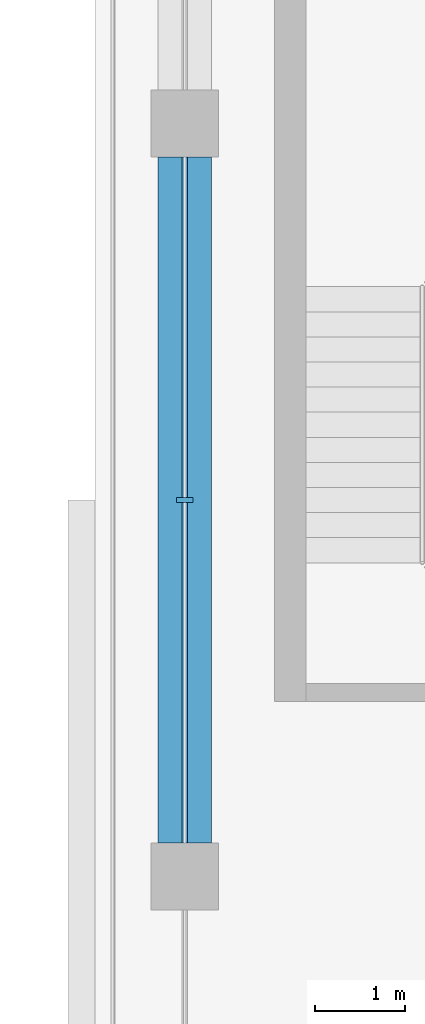
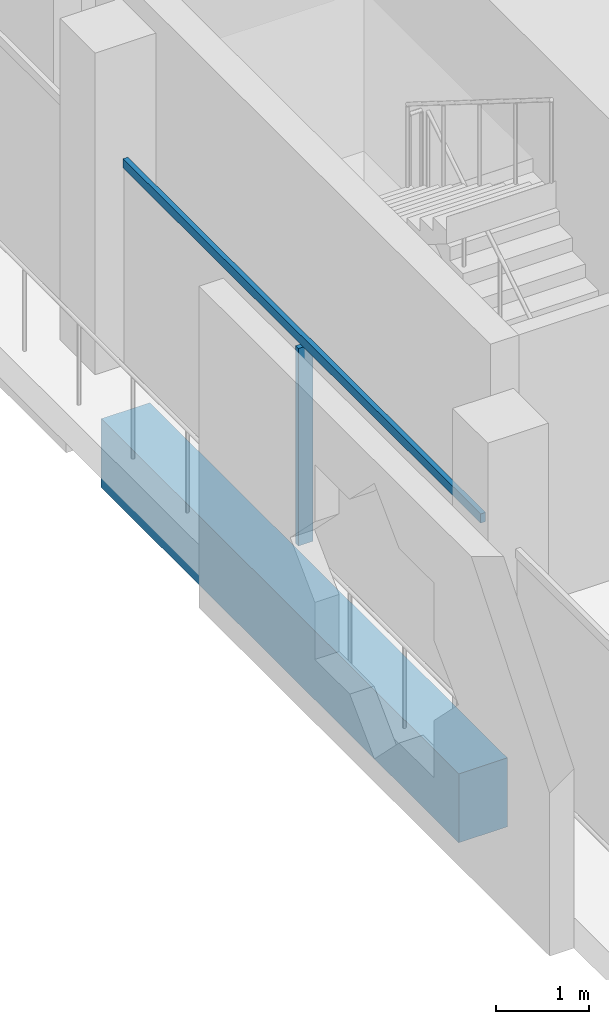
# One storey, part 3 of 20: 2 members, 1 beam, 1 element without a shape of its own.
"""IFC4 building model written with IfcOpenShell, lengths in metres."""

from ifc_helpers import new_model, si_unit, direction, frame, origin, origin_2d, place, context, subcontext, project, spatial, rectangle, extrude, material, layer, layer_set, material_profile, profile_set, type_object, element, aggregate, save


model = new_model("IFC4")

# Units and contexts
model_context = context("Model", 3, precision=1e-05, world=origin(), true_north=direction((0.0, 1.0)))
body_context = subcontext(model_context, "Body", "Model", "MODEL_VIEW")
ifc_project = project(units=[si_unit("LENGTHUNIT", "METRE"), si_unit("AREAUNIT", "SQUARE_METRE"), si_unit("VOLUMEUNIT", "CUBIC_METRE"), si_unit("PLANEANGLEUNIT", "RADIAN"), si_unit("MASSUNIT", "GRAM", prefix="KILO")], contexts=[model_context])

# Site, building, storey
site_placement = place(None, origin())
site = spatial("IfcSite", under=ifc_project, at=site_placement, CompositionType="ELEMENT")
building_placement = place(site_placement, origin())
building = spatial("IfcBuilding", under=site, at=building_placement, Name="Kawkab Arch Medical Tower", CompositionType="ELEMENT")
storey_placement = place(building_placement, frame((0.0, 0.0, 290.199951171875)))
storey = spatial("IfcBuildingStorey", under=building, at=storey_placement, Name="L67", CompositionType="ELEMENT", Elevation=290.199951171875)

# Curtain wall, members
ifc_material_1 = material(Name="Bronze anodised aluminium curtain wall frame", Category="aluminium")
ifc_layer = layer(ifc_material_1, 0.159912109375)
ifc_layer_set = layer_set([ifc_layer], Name="Bronze anodised aluminium curtain wall frame")
curtain_wall_type = type_object("IfcCurtainWallType", Name="CW1 ward curtain wall", PredefinedType="NOTDEFINED", material=ifc_layer_set)
curtain_wall_placement = place(storey_placement, origin())
curtain_wall = element("IfcCurtainWall", 1, at=curtain_wall_placement, inside=storey, type_object=curtain_wall_type, Name="CW1 Ward curtain wall R02", PredefinedType="NOTDEFINED")
ifc_material_2 = material(Name="Bronze anodised aluminium curtain wall frame", Category="aluminium")
ifc_material_profile_1 = material_profile(ifc_material_2, rectangle(XDim=0.179931640625, YDim=0.06005859375, at=origin_2d()), Name="AL 60x180")
ifc_profile_set_1 = profile_set([ifc_material_profile_1], Name="Bronze anodised aluminium curtain wall frame")
member_type_1 = type_object("IfcMemberType", Name="CW1 mullion 60 x 180", PredefinedType="MULLION", material=ifc_profile_set_1)
member_1_placement = place(storey_placement, frame((0.0, -21.0, 0.0), z_axis=(0.0, 0.0, 1.0), x_axis=(1.0, 0.0, 0.0)))
member_1 = element("IfcMember", 2, at=member_1_placement, type_object=member_type_1, Name="CW1 mullion 2.1", PredefinedType="MULLION", context=body_context, shape_type="SweptSolid", body=[
    extrude(rectangle(XDim=0.179931640625, YDim=0.06005859375, at=origin_2d()), origin(), (0.0, 0.0, 1.0), 2.580078125),
])
ifc_material_3 = material(Name="Bronze anodised aluminium curtain wall frame", Category="aluminium")
ifc_material_profile_2 = material_profile(ifc_material_3, rectangle(XDim=0.06005859375, YDim=0.1201171875, at=origin_2d()), Name="AL 60x120")
ifc_profile_set_2 = profile_set([ifc_material_profile_2], Name="Bronze anodised aluminium curtain wall frame")
member_type_2 = type_object("IfcMemberType", Name="CW1 transom 120 x 60", PredefinedType="USERDEFINED", material=ifc_profile_set_2)
member_2_placement = place(storey_placement, frame((0.0, -17.175048828125, 2.64013671875), z_axis=(0.0, -1.0, 0.0), x_axis=(1.0, 0.0, 0.0)))
member_2 = element("IfcMember", 3, at=member_2_placement, type_object=member_type_2, Name="CW1 transom 2", ObjectType="TRANSOM", PredefinedType="USERDEFINED", context=body_context, shape_type="SweptSolid", body=[
    extrude(rectangle(XDim=0.06005859375, YDim=0.1201171875, at=origin_2d()), origin(), (0.0, 0.0, 1.0), 7.64990234375),
])
aggregate(curtain_wall, [member_2, member_1])

# Beam
ifc_material_4 = material(Name="Concrete C40/50", Category="concrete")
ifc_material_profile_3 = material_profile(ifc_material_4, rectangle(XDim=0.60009765625, YDim=0.89990234375, at=origin_2d()), Name="RC 600x900")
ifc_profile_set_3 = profile_set([ifc_material_profile_3], Name="Concrete C40/50")
beam_type = type_object("IfcBeamType", Name="RC 600x900 beam C40/50", PredefinedType="BEAM", material=ifc_profile_set_3)
beam_placement = place(storey_placement, frame((0.0, -24.824951171875, -1.050048828125), z_axis=(0.0, 1.0, 0.0), x_axis=(-1.0, 0.0, 0.0)))
element("IfcBeam", 4, at=beam_placement, inside=storey, type_object=beam_type, Name="Overhang edge beam L67-02", PredefinedType="BEAM", context=body_context, shape_type="SweptSolid", body=[
    extrude(rectangle(XDim=0.60009765625, YDim=0.89990234375, at=origin_2d()), origin(), (0.0, 0.0, 1.0), 7.64990234375),
])

save(model, "model.ifc")
